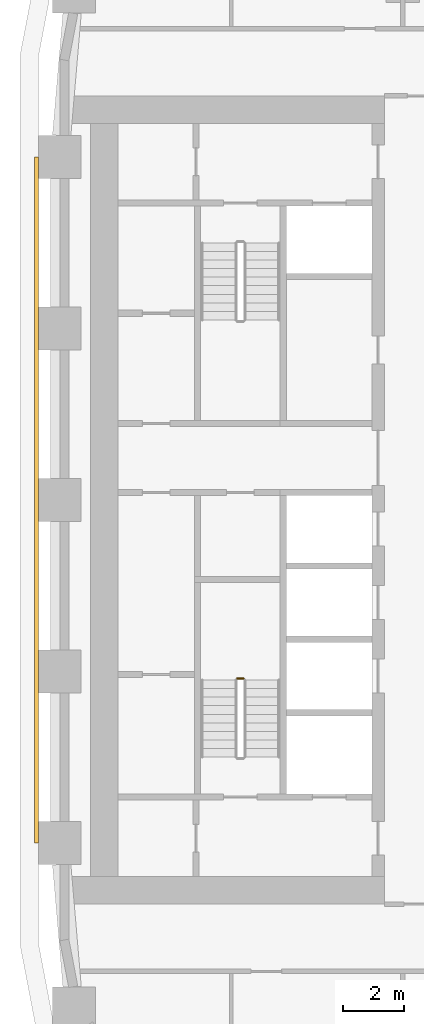
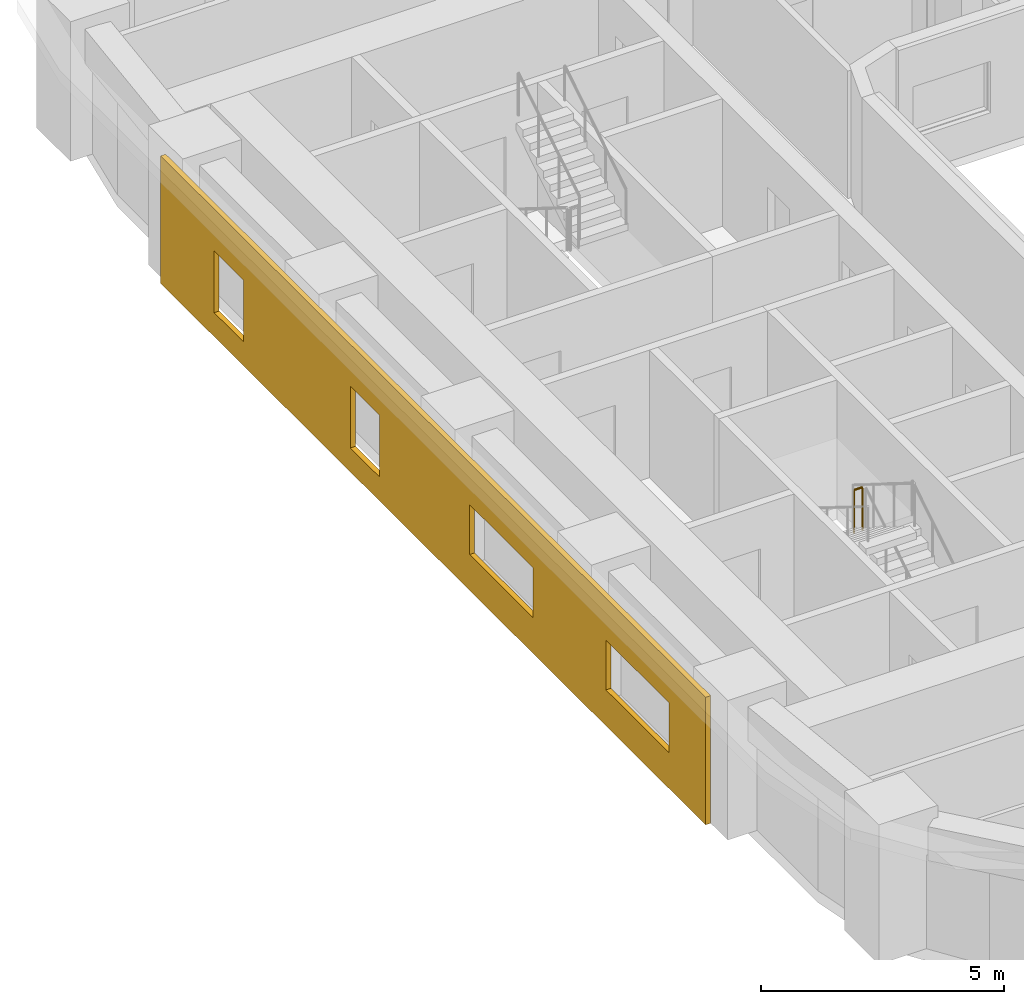
# One storey, part 13 of 22: 1 covering, 1 railing.
"""IFC4 building model written with IfcOpenShell, lengths in metres."""

from ifc_helpers import new_model, si_unit, direction, frame, origin, origin_2d, place, context, subcontext, project, spatial, polyline, circle, outline, extrude, material, layer, layer_set, type_object, element, save


model = new_model("IFC4")

# Units and contexts
model_context = context("Model", 3, precision=1e-05, world=origin(), true_north=direction((0.0, 1.0)))
body_context = subcontext(model_context, "Body", "Model", "MODEL_VIEW")
ifc_project = project(units=[si_unit("LENGTHUNIT", "METRE"), si_unit("AREAUNIT", "SQUARE_METRE"), si_unit("VOLUMEUNIT", "CUBIC_METRE"), si_unit("PLANEANGLEUNIT", "RADIAN"), si_unit("MASSUNIT", "GRAM", prefix="KILO")], contexts=[model_context])

# Site, building, storey
site_placement = place(None, origin())
site = spatial("IfcSite", under=ifc_project, at=site_placement, CompositionType="ELEMENT")
building_placement = place(site_placement, origin())
building = spatial("IfcBuilding", under=site, at=building_placement, Name="Kiln Ring Residences", CompositionType="ELEMENT")
storey_placement = place(building_placement, frame((0.0, 0.0, 58.5)))
storey = spatial("IfcBuildingStorey", under=building, at=storey_placement, Name="L14", CompositionType="ELEMENT", Elevation=58.5)

# Railing
ifc_material_1 = material(Name="Stainless steel", Category="steel")
railing_type = type_object("IfcRailingType", Name="CORE-STAIR-GUARD", PredefinedType="GUARDRAIL", material=ifc_material_1)
railing_placement = place(storey_placement, frame((-22.0, -5.830078125, 1.75)))
element("IfcRailing", 1, at=railing_placement, inside=storey, type_object=railing_type, Name="L14 W-STS stair guard 2", PredefinedType="GUARDRAIL", context=body_context, shape_type="SweptSolid", body=[
    extrude(circle(Radius=0.02392578125, at=origin_2d()), frame((0.0, 0.0, 1.076171875), z_axis=(-1.0, 0.0, 0.0), x_axis=(0.0, -1.0, 0.0)), (0.0, 0.0, 1.0), 0.199951171875),
    extrude(circle(Radius=0.02099609375, at=origin_2d()), origin(), (0.0, 0.0, 1.0), 1.052001953125),
    extrude(circle(Radius=0.02099609375, at=origin_2d()), frame((-0.199951171875, 0.0, 0.0)), (0.0, 0.0, 1.0), 1.052001953125),
])

# Covering
ifc_material_2 = material(Name="Brick masonry, dark clay brick", Category="masonry")
ifc_layer = layer(ifc_material_2, 0.1201171875)
ifc_layer_set = layer_set([ifc_layer], Name="RAINSCREEN PANEL 120")
covering_type = type_object("IfcCoveringType", Name="RAINSCREEN PANEL 120", PredefinedType="CLADDING", material=ifc_layer_set)
covering_placement = place(storey_placement, frame((-28.760009765625, 11.199951171875, 0.0), z_axis=(0.0, 0.0, 1.0), x_axis=(0.0, -1.0, 0.0)))
element("IfcCovering", 2, at=covering_placement, inside=storey, type_object=covering_type, Name="RAINSCREEN L14", PredefinedType="CLADDING", context=body_context, shape_type="SweptSolid", body=[
    extrude(outline(polyline([(0.0, 0.0), (22.39990234375, 0.0), (22.39990234375, 3.199951171875), (0.0, 3.199951171875), (0.0, 0.0)]), holes=[polyline([(3.39990234375, 0.60009765625), (3.39990234375, 2.14990234375), (2.199951171875, 2.14990234375), (2.199951171875, 0.60009765625), (3.39990234375, 0.60009765625)]), polyline([(9.0, 0.60009765625), (9.0, 2.14990234375), (7.800048828125, 2.14990234375), (7.800048828125, 0.60009765625), (9.0, 0.60009765625)]), polyline([(15.300048828125, 0.89990234375), (15.300048828125, 2.14990234375), (12.699951171875, 2.14990234375), (12.699951171875, 0.89990234375), (15.300048828125, 0.89990234375)]), polyline([(20.89990234375, 0.89990234375), (20.89990234375, 2.14990234375), (18.300048828125, 2.14990234375), (18.300048828125, 0.89990234375), (20.89990234375, 0.89990234375)])]), frame((0.0, 0.06005859375, 0.0), z_axis=(0.0, -1.0, 0.0), x_axis=(1.0, 0.0, 0.0)), (0.0, 0.0, 1.0), 0.1201171875),
])

save(model, "model.ifc")
